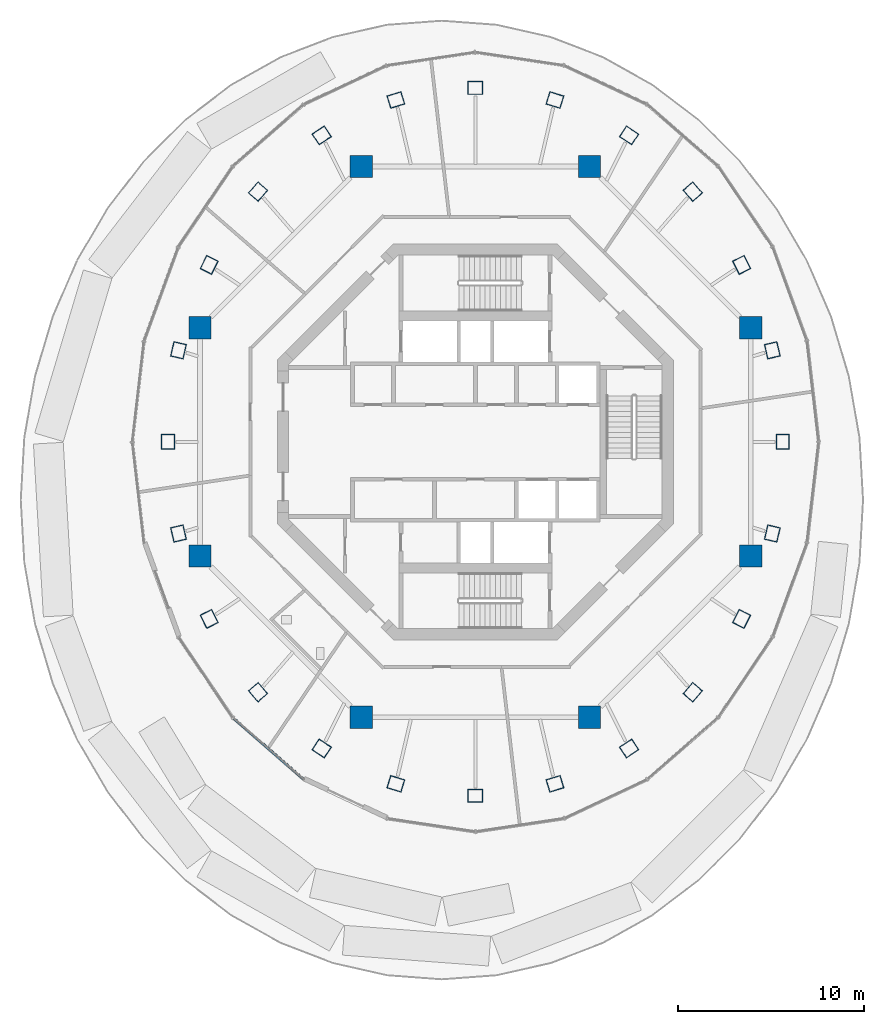
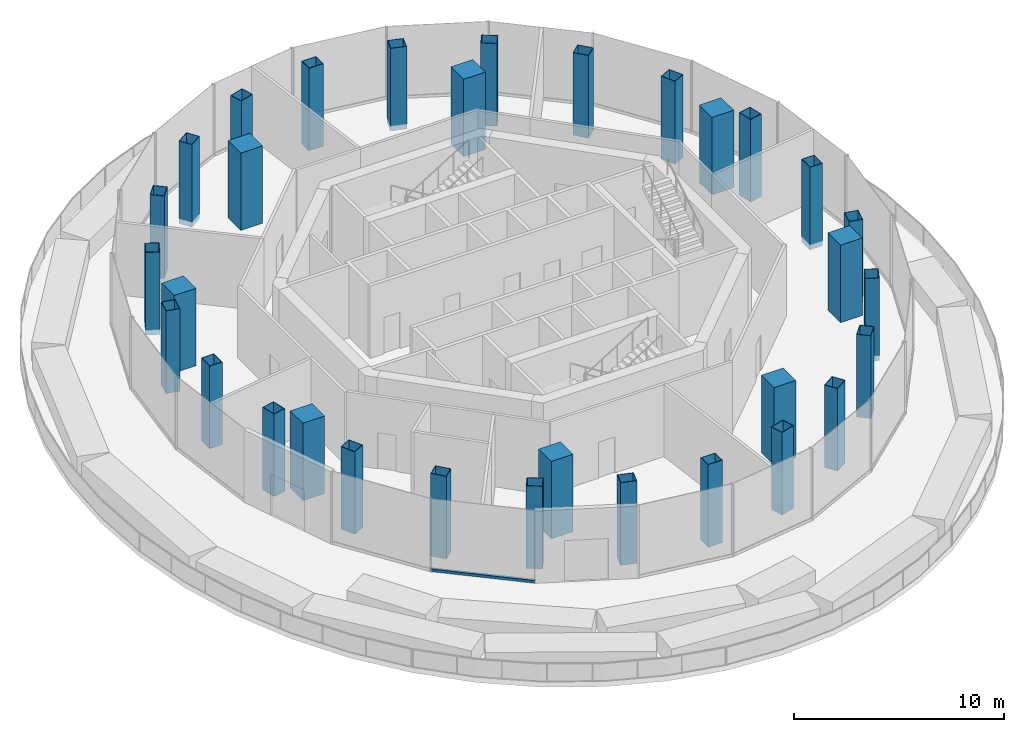
# One storey, part 1 of 12: 32 columns, 1 member, 1 element without a shape of its own.
"""IFC4 building model written with IfcOpenShell, lengths in metres."""

import ifcopenshell
import ifcopenshell.guid

model = None  # the IFC model being written
_history = None  # IfcOwnerHistory: only IFC2X3 demands one
_inside = {}  # id of a spatial element -> (the spatial element, [elements in it])
_under = {}  # id of a project, library or spatial element -> (it, [spatial elements below it])
_declared = {}  # id of a project -> (the project, [libraries it declares])
_typed = {}  # id of a type object -> (the type object, [elements of that type])
_made_of = {}  # id of a material, layer set ... -> (it, [elements and type objects made of it])


def new_model(schema):
    """Start an empty IFC model of exactly this schema.

    Asked for "IFC4X3", IfcOpenShell would pick the latest addendum, in which some entities
    have other attributes; the version numbers below select the first issue.
    IFC2X3 requires an IfcOwnerHistory on every rooted entity: one is made here for all.
    """
    global model, _history
    if schema == "IFC4X3":
        model = ifcopenshell.file(schema_version=(4, 3, 0, 0))
    else:
        model = ifcopenshell.file(schema=schema)
    _inside.clear()
    _under.clear()
    _declared.clear()
    _typed.clear()
    _made_of.clear()
    _history = None
    if model.schema == "IFC2X3":
        org = make("IfcOrganization", Name="unknown")
        user = make(
            "IfcPersonAndOrganization",
            ThePerson=make("IfcPerson", FamilyName="unknown"),
            TheOrganization=org,
        )
        app = make(
            "IfcApplication",
            ApplicationDeveloper=org,
            Version="unknown",
            ApplicationFullName="unknown",
            ApplicationIdentifier="unknown",
        )
        _history = make(
            "IfcOwnerHistory",
            OwningUser=user,
            OwningApplication=app,
            ChangeAction="ADDED",
            CreationDate=0,
        )
    return model


def make(cls, **values):
    """One entity of the class cls with the attributes given. An attribute that is None is left unset."""
    return model.create_entity(
        cls, **{name: value for name, value in values.items() if value is not None}
    )


def rooted(cls, **values):
    """An entity with a GlobalId (a new one), such as an element, a storey or a relation."""
    return make(cls, GlobalId=ifcopenshell.guid.new(), OwnerHistory=_history, **values)


def si_unit(unit_type, name, prefix=None):
    """IfcSIUnit, for example si_unit("LENGTHUNIT", "METRE", prefix="MILLI")."""
    return make("IfcSIUnit", UnitType=unit_type, Prefix=prefix, Name=name)


def assignment(units):
    """IfcUnitAssignment: the units of a project."""
    return None if units is None else make("IfcUnitAssignment", Units=units)


def point(xyz):
    """IfcCartesianPoint."""
    return None if xyz is None else make("IfcCartesianPoint", Coordinates=xyz)


def direction(xyz):
    """IfcDirection."""
    return None if xyz is None else make("IfcDirection", DirectionRatios=xyz)


def frame(location, z_axis=None, x_axis=None):
    """IfcAxis2Placement3D, a coordinate frame: its origin and axes. An axis left out is left unset."""
    return make(
        "IfcAxis2Placement3D",
        Location=point(location),
        Axis=direction(z_axis),
        RefDirection=direction(x_axis),
    )


def frame_2d(location, x_axis=None):
    """IfcAxis2Placement2D, a coordinate frame in the plane: its origin and x axis."""
    return make(
        "IfcAxis2Placement2D", Location=point(location), RefDirection=direction(x_axis)
    )


def origin():
    """The frame at (0, 0, 0) with its axes left unset."""
    return frame((0.0, 0.0, 0.0))


def origin_2d():
    """The frame at (0, 0) in the plane with its x axis left unset."""
    return frame_2d((0.0, 0.0))


def place(relative_to, where):
    """IfcLocalPlacement: puts the frame where relative to a parent placement (None: the world)."""
    return make(
        "IfcLocalPlacement", PlacementRelTo=relative_to, RelativePlacement=where
    )


def context(
    kind, dimensions, precision=None, world=None, true_north=None, identifier=None
):
    """IfcGeometricRepresentationContext, for example the 3D "Model" context."""
    return make(
        "IfcGeometricRepresentationContext",
        ContextIdentifier=identifier,
        ContextType=kind,
        CoordinateSpaceDimension=dimensions,
        Precision=precision,
        WorldCoordinateSystem=world,
        TrueNorth=true_north,
    )


def subcontext(parent, identifier, kind, view, scale=None):
    """IfcGeometricRepresentationSubContext, for example "Body" below "Model"."""
    return make(
        "IfcGeometricRepresentationSubContext",
        ContextIdentifier=identifier,
        ContextType=kind,
        ParentContext=parent,
        TargetScale=scale,
        TargetView=view,
    )


def project(units=None, contexts=None):
    """IfcProject with its units and contexts."""
    return rooted(
        "IfcProject",
        Name="project",
        RepresentationContexts=contexts,
        UnitsInContext=assignment(units),
    )


def spatial(cls, under=None, at=None, **own):
    """A site, building, storey or space (cls), placed at a placement, below another one or the project."""
    s = rooted(cls, ObjectPlacement=at, **own)
    if under is not None:
        _under.setdefault(under.id(), (under, []))[1].append(s)
    return s


def profile(cls, at=None, kind="AREA", **sizes):
    """A parametric profile (cls). Its sizes go by their IFC names, for example OverallWidth=200.0."""
    return make(cls, ProfileType=kind, Position=at, **sizes)


def rectangle(**sizes):
    """IfcRectangleProfileDef."""
    return profile("IfcRectangleProfileDef", **sizes)


def hollow_rectangle(**sizes):
    """IfcRectangleHollowProfileDef."""
    return profile("IfcRectangleHollowProfileDef", **sizes)


def extrude(swept, where, along, depth):
    """IfcExtrudedAreaSolid: the profile swept, set in the frame where, extruded along a direction by depth."""
    return make(
        "IfcExtrudedAreaSolid",
        SweptArea=swept,
        Position=where,
        ExtrudedDirection=direction(along),
        Depth=depth,
    )


def shape(context_of_items, identifier, shape_type, items):
    """IfcShapeRepresentation: the items that make up one representation, for example the "Body"."""
    return make(
        "IfcShapeRepresentation",
        ContextOfItems=context_of_items,
        RepresentationIdentifier=identifier,
        RepresentationType=shape_type,
        Items=items,
    )


def material(Name=None, Category=None):
    """IfcMaterial."""
    return make("IfcMaterial", Name=Name, Category=Category)


def layer(
    of_material, thickness, ventilated=None, Name=None, Category=None, Priority=None
):
    """IfcMaterialLayer: one layer of a wall or slab, of a material (None: an air gap)."""
    return make(
        "IfcMaterialLayer",
        Material=of_material,
        LayerThickness=thickness,
        IsVentilated=ventilated,
        Name=Name,
        Category=Category,
        Priority=Priority,
    )


def layer_set(layers, Name=None):
    """IfcMaterialLayerSet."""
    return make("IfcMaterialLayerSet", MaterialLayers=layers, LayerSetName=Name)


def material_profile(
    of_material, cross_section, Name=None, Category=None, Priority=None
):
    """IfcMaterialProfile: a cross section and its material."""
    return make(
        "IfcMaterialProfile",
        Name=Name,
        Material=of_material,
        Profile=cross_section,
        Priority=Priority,
        Category=Category,
    )


def profile_set(profiles, Name=None, composite=None):
    """IfcMaterialProfileSet."""
    return make(
        "IfcMaterialProfileSet",
        Name=Name,
        MaterialProfiles=profiles,
        CompositeProfile=composite,
    )


def made_of(thing, what):
    """Note that an element or type object is made of a material, layer set ...; save() writes the relation."""
    if what is not None:
        _made_of.setdefault(what.id(), (what, []))[1].append(thing)
    return thing


def type_object(cls, material=None, **own):
    """A type object (cls), such as IfcWallType, which elements share."""
    return made_of(rooted(cls, **own), material)


def element(
    cls,
    number,
    at=None,
    inside=None,
    cuts=None,
    type_object=None,
    material=None,
    context=None,
    identifier="Body",
    shape_type=None,
    held_by="IfcProductDefinitionShape",
    body=None,
    shapes=None,
    **own,
):
    """One element of the class cls, such as IfcWall. Its Tag is "e" and its number.

    at: its placement. inside: the storey or other place that contains it. cuts: it is an
    opening in that element (IfcRelVoidsElement). A single representation is given by context,
    identifier, shape_type and body (its items); several are given by shapes. held_by: the class
    of the entity that holds the representations. save() writes the other relations.
    """
    e = rooted(cls, Tag="e%d" % number, ObjectPlacement=at, **own)
    if body is not None:
        shapes = [shape(context, identifier, shape_type, body)]
    if shapes is not None:
        e.Representation = make(held_by, Representations=shapes)
    if inside is not None:
        _inside.setdefault(inside.id(), (inside, []))[1].append(e)
    if cuts is not None:
        rooted(
            "IfcRelVoidsElement", RelatingBuildingElement=cuts, RelatedOpeningElement=e
        )
    if type_object is not None:
        _typed.setdefault(type_object.id(), (type_object, []))[1].append(e)
    return made_of(e, material)


def aggregate(whole, parts):
    """IfcRelAggregates: a whole, such as a stair, and the parts it consists of."""
    return rooted("IfcRelAggregates", RelatingObject=whole, RelatedObjects=parts)


def save(model, path):
    """Write the relations noted so far, then the file.

    IfcRelAggregates (storeys below a building ...), IfcRelContainedInSpatialStructure (elements
    in a storey), IfcRelDefinesByType, IfcRelAssociatesMaterial and IfcRelDeclares: one each for
    every whole, place, type object, material and project.
    """
    for whole, parts in _under.values():
        aggregate(whole, parts)
    for where, things in _inside.values():
        rooted(
            "IfcRelContainedInSpatialStructure",
            RelatedElements=things,
            RelatingStructure=where,
        )
    for kind, things in _typed.values():
        rooted("IfcRelDefinesByType", RelatedObjects=things, RelatingType=kind)
    for what, things in _made_of.values():
        rooted("IfcRelAssociatesMaterial", RelatedObjects=things, RelatingMaterial=what)
    for by, libraries in _declared.values():
        rooted("IfcRelDeclares", RelatingContext=by, RelatedDefinitions=libraries)
    model.write(path)


model = new_model("IFC4")

# Units and contexts
model_context = context("Model", 3, precision=1e-05, world=origin(), true_north=direction((0.0, 1.0)))
body_context = subcontext(model_context, "Body", "Model", "MODEL_VIEW")
ifc_project = project(units=[si_unit("LENGTHUNIT", "METRE"), si_unit("AREAUNIT", "SQUARE_METRE"), si_unit("VOLUMEUNIT", "CUBIC_METRE"), si_unit("PLANEANGLEUNIT", "RADIAN"), si_unit("MASSUNIT", "GRAM", prefix="KILO")], contexts=[model_context])

# Site, building, storey
site_placement = place(None, origin())
site = spatial("IfcSite", under=ifc_project, at=site_placement, CompositionType="ELEMENT")
building_placement = place(site_placement, origin())
building = spatial("IfcBuilding", under=site, at=building_placement, Name="Nagisa Residences", CompositionType="ELEMENT")
storey_placement = place(building_placement, frame((0.0, 0.0, 315.89990234375)))
storey = spatial("IfcBuildingStorey", under=building, at=storey_placement, Name="L78", CompositionType="ELEMENT", Elevation=315.89990234375)

# Columns
ifc_material_1 = material(Name="Concrete C80", Category="concrete")
ifc_material_profile_1 = material_profile(ifc_material_1, rectangle(XDim=1.199951171875, YDim=1.199951171875, at=origin_2d()), Name="C80 1200x1200")
ifc_profile_set_1 = profile_set([ifc_material_profile_1], Name="Concrete C80")
column_type_1 = type_object("IfcColumnType", Name="Inner megacolumn C80 1200x1200", PredefinedType="COLUMN", material=ifc_profile_set_1)
for number, where, z_axis, x_axis, name in (
    (1, (14.781982421875, 6.123046875, 0.0), (0.0, 0.0, 1.0), (1.0, 0.0, 0.0), "col:L78:i1"),
    (2, (6.123046875, 14.781982421875, 0.0), (0.0, 0.0, 1.0), (1.0, 0.0, 0.0), "col:L78:i2"),
    (3, (-6.123046875, 14.781982421875, 0.0), (0.0, 0.0, 1.0), (1.0, 0.0, 0.0), "col:L78:i3"),
    (4, (-14.781982421875, 6.123046875, 0.0), (0.0, 0.0, 1.0), (1.0, 0.0, 0.0), "col:L78:i4"),
    (5, (-14.781982421875, -6.123046875, 0.0), (0.0, 0.0, 1.0), (1.0, 0.0, 0.0), "col:L78:i5"),
    (6, (-6.123046875, -14.781982421875, 0.0), (0.0, 0.0, 1.0), (1.0, 0.0, 0.0), "col:L78:i6"),
    (7, (6.123046875, -14.781982421875, 0.0), (0.0, 0.0, 1.0), (1.0, 0.0, 0.0), "col:L78:i7"),
    (8, (14.781982421875, -6.123046875, 0.0), (0.0, 0.0, 1.0), (1.0, 0.0, 0.0), "col:L78:i8"),
):
    element("IfcColumn", number, at=place(storey_placement, frame(where, z_axis=z_axis, x_axis=x_axis)), inside=storey, type_object=column_type_1, Name=name, PredefinedType="COLUMN", context=body_context, shape_type="SweptSolid", body=[
        extrude(rectangle(XDim=1.199951171875, YDim=1.199951171875, at=origin_2d()), origin(), (0.0, 0.0, 1.0), 4.5),
    ])
ifc_material_2 = material(Name="Steel ASTM A572 Gr 50", Category="steel")
ifc_material_profile_2 = material_profile(ifc_material_2, hollow_rectangle(XDim=0.800048828125, YDim=0.699951171875, WallThickness=0.02490234375, at=origin_2d()), Name="BX 800x700x25")
ifc_profile_set_2 = profile_set([ifc_material_profile_2], Name="Steel ASTM A572 Gr 50")
column_type_2 = type_object("IfcColumnType", Name="Perimeter column BX 800x700x25", PredefinedType="COLUMN", material=ifc_profile_set_2)
for number, where, z_axis, x_axis, name in (
    (9, (16.5, 0.0, -0.2998046875), (0.0, 0.0, 1.0), (0.0, 1.0, 0.0), "col:L78:p00"),
    (10, (15.937744140625, 4.91748046875, -0.2998046875), (0.0, 0.0, 1.0), (-0.227472858308, 0.973784421077, 0.0), "col:L78:p01"),
    (11, (14.289306640625, 9.5, -0.2998046875), (0.0, 0.0, 1.0), (-0.449592304298, 0.893233877502, 0.0), "col:L78:p02"),
    (12, (11.667236328125, 13.43505859375, -0.2998046875), (0.0, 0.0, 1.0), (-0.657135200433, 0.753772729907, 0.0), "col:L78:p03"),
    (13, (8.25, 16.45458984375, -0.2998046875), (0.0, 0.0, 1.0), (-0.833744136063, 0.552150989839, 0.0), "col:L78:p04"),
    (14, (4.2705078125, 18.3525390625, -0.2998046875), (0.0, 0.0, 1.0), (-0.955869996667, 0.293789975104, 0.0), "col:L78:p05"),
    (15, (0.0, 19.0, -0.2998046875), (0.0, 0.0, 1.0), (-1.0, 0.0, 0.0), "col:L78:p06"),
    (16, (-4.2705078125, 18.3525390625, -0.2998046875), (0.0, 0.0, 1.0), (-0.955869996667, -0.293789975104, 0.0), "col:L78:p07"),
    (17, (-8.25, 16.45458984375, -0.2998046875), (0.0, 0.0, 1.0), (-0.833744136063, -0.552150989839, 0.0), "col:L78:p08"),
    (18, (-11.667236328125, 13.43505859375, -0.2998046875), (0.0, 0.0, 1.0), (-0.657135200433, -0.753772729907, 0.0), "col:L78:p09"),
    (19, (-14.289306640625, 9.5, -0.2998046875), (0.0, 0.0, 1.0), (-0.449592304298, -0.893233877502, 0.0), "col:L78:p10"),
    (20, (-15.937744140625, 4.91748046875, -0.2998046875), (0.0, 0.0, 1.0), (-0.227472858308, -0.973784421077, 0.0), "col:L78:p11"),
    (21, (-16.5, 0.0, -0.2998046875), (0.0, 0.0, 1.0), (0.0, -1.0, 0.0), "col:L78:p12"),
    (22, (-15.937744140625, -4.91748046875, -0.2998046875), (0.0, 0.0, 1.0), (0.227472858308, -0.973784421077, 0.0), "col:L78:p13"),
    (23, (-14.289306640625, -9.5, -0.2998046875), (0.0, 0.0, 1.0), (0.449592304298, -0.893233877502, 0.0), "col:L78:p14"),
    (24, (-11.667236328125, -13.43505859375, -0.2998046875), (0.0, 0.0, 1.0), (0.657135200433, -0.753772729907, 0.0), "col:L78:p15"),
    (25, (-8.25, -16.45458984375, -0.2998046875), (0.0, 0.0, 1.0), (0.833744136063, -0.552150989839, 0.0), "col:L78:p16"),
    (26, (-4.2705078125, -18.3525390625, -0.2998046875), (0.0, 0.0, 1.0), (0.955869996667, -0.293789975104, 0.0), "col:L78:p17"),
    (27, (0.0, -19.0, -0.2998046875), (0.0, 0.0, 1.0), (1.0, 0.0, 0.0), "col:L78:p18"),
    (28, (4.2705078125, -18.3525390625, -0.2998046875), (0.0, 0.0, 1.0), (0.955869996667, 0.293789975104, 0.0), "col:L78:p19"),
    (29, (8.25, -16.45458984375, -0.2998046875), (0.0, 0.0, 1.0), (0.833744136063, 0.552150989839, 0.0), "col:L78:p20"),
    (30, (11.667236328125, -13.43505859375, -0.2998046875), (0.0, 0.0, 1.0), (0.657135200433, 0.753772729907, 0.0), "col:L78:p21"),
    (31, (14.289306640625, -9.5, -0.2998046875), (0.0, 0.0, 1.0), (0.449592304298, 0.893233877502, 0.0), "col:L78:p22"),
    (32, (15.937744140625, -4.91748046875, -0.2998046875), (0.0, 0.0, 1.0), (0.227472858308, 0.973784421077, 0.0), "col:L78:p23"),
):
    element("IfcColumn", number, at=place(storey_placement, frame(where, z_axis=z_axis, x_axis=x_axis)), inside=storey, type_object=column_type_2, Name=name, PredefinedType="COLUMN", context=body_context, shape_type="SweptSolid", body=[
        extrude(hollow_rectangle(XDim=0.800048828125, YDim=0.699951171875, WallThickness=0.02490234375, at=origin_2d()), origin(), (0.0, 0.0, 1.0), 4.7998046875),
    ])

# Curtain wall, member
ifc_material_3 = material(Name="Aluminium curtain wall system", Category="aluminium")
ifc_layer = layer(ifc_material_3, 0.159912109375)
ifc_layer_set = layer_set([ifc_layer], Name="CW4 CURTAIN WALL")
curtain_wall_type = type_object("IfcCurtainWallType", Name="CW4 CURTAIN WALL", PredefinedType="NOTDEFINED", material=ifc_layer_set)
curtain_wall_placement = place(storey_placement, origin())
curtain_wall = element("IfcCurtainWall", 33, at=curtain_wall_placement, inside=storey, type_object=curtain_wall_type, Name="cw:CW4:L78:15", PredefinedType="NOTDEFINED")
ifc_material_4 = material(Name="Aluminium", Category="aluminium")
ifc_material_profile_3 = material_profile(ifc_material_4, rectangle(XDim=0.139892578125, YDim=0.14990234375, at=origin_2d()), Name="CW4 TRANSOM 140x150")
ifc_profile_set_3 = profile_set([ifc_material_profile_3], Name="Aluminium")
member_type = type_object("IfcMemberType", Name="CW4 TRANSOM 140x150", PredefinedType="USERDEFINED", material=ifc_profile_set_3)
member_placement = place(storey_placement, frame((-13.029052734375, -14.788818359375, 0.0751953125), z_axis=(0.754057031444, -0.656808947358, 0.0), x_axis=(0.656808947358, 0.754057031444, 0.0)))
member = element("IfcMember", 34, at=member_placement, type_object=member_type, Name="CW4 transom", ObjectType="TRANSOM", PredefinedType="USERDEFINED", context=body_context, shape_type="SweptSolid", body=[
    extrude(rectangle(XDim=0.139892578125, YDim=0.14990234375, at=origin_2d()), origin(), (0.0, 0.0, 1.0), 5.081298828125),
])
aggregate(curtain_wall, [member])

save(model, "model.ifc")
